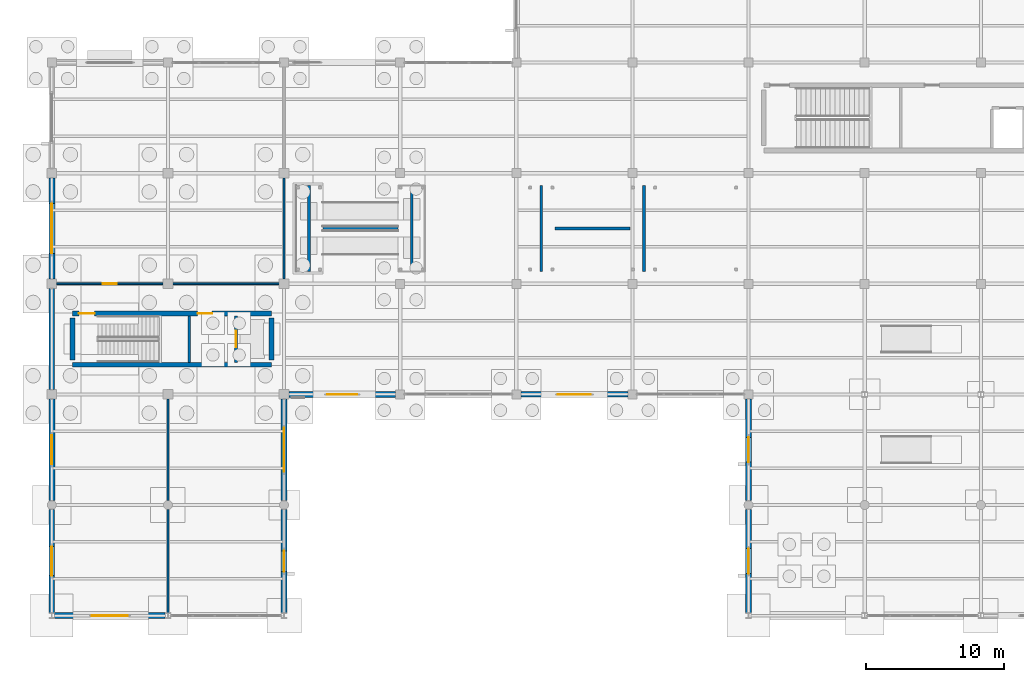
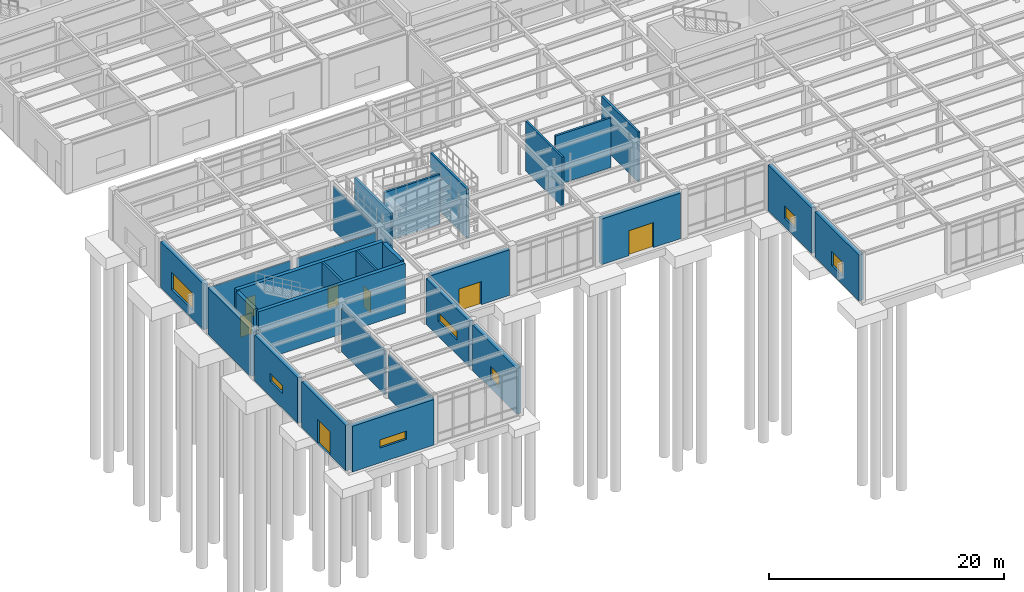
# One storey, part 75 of 138: 28 walls, 7 doors, 7 windows, 14 openings.
"""IFC4 building model written with IfcOpenShell, lengths in metres."""

from ifc_helpers import new_model, si_unit, direction, frame, frame_2d, origin, place, context, subcontext, project, spatial, rectangle, extrude, material, layer, layer_set, type_object, element, fill, save


model = new_model("IFC4")

# Units and contexts
model_context = context("Model", 3, precision=1e-05, world=origin(), true_north=direction((0.0, 1.0)))
body_context = subcontext(model_context, "Body", "Model", "MODEL_VIEW")
ifc_project = project(units=[si_unit("LENGTHUNIT", "METRE"), si_unit("AREAUNIT", "SQUARE_METRE"), si_unit("VOLUMEUNIT", "CUBIC_METRE"), si_unit("PLANEANGLEUNIT", "RADIAN"), si_unit("MASSUNIT", "GRAM", prefix="KILO")], contexts=[model_context])

# Site, building, storey
site_placement = place(None, origin())
site = spatial("IfcSite", under=ifc_project, at=site_placement, CompositionType="ELEMENT")
building_placement = place(site_placement, origin())
building = spatial("IfcBuilding", under=site, at=building_placement, Name="Kranzveld Transit Interchange", CompositionType="ELEMENT")
storey_placement = place(building_placement, origin())
storey = spatial("IfcBuildingStorey", under=building, at=storey_placement, Name="L00", CompositionType="ELEMENT", Elevation=0.0)

# Wall
ifc_material_1 = material(Name="Concrete C40/50", Category="concrete")
ifc_layer_1 = layer(ifc_material_1, 0.35009765625)
ifc_layer_set_1 = layer_set([ifc_layer_1], Name="Concrete C40/50")
wall_type_1 = type_object("IfcWallType", Name="Core Shear Wall RC 350 C40/50", PredefinedType="SHEAR", material=ifc_layer_set_1)
wall_1_placement = place(storey_placement, frame((1.5, 18.139892578125, 0.0), z_axis=(0.0, 0.0, 1.0), x_axis=(1.0, 0.0, 0.0)))
element("IfcWall", 1, at=wall_1_placement, inside=storey, type_object=wall_type_1, Name="L00 Cycle Hub Core C7 Shear Wall S", PredefinedType="SHEAR", context=body_context, shape_type="SweptSolid", body=[
    extrude(rectangle(XDim=14.39990234375, YDim=0.35009765625, at=frame_2d((7.199951171875, 0.0))), origin(), (0.0, 0.0, 1.0), 5.14990234375),
])

# Wall, openings, doors
wall_2_placement = place(storey_placement, frame((1.5, 21.860107421875, 0.0), z_axis=(0.0, 0.0, 1.0), x_axis=(1.0, 0.0, 0.0)))
wall_2 = element("IfcWall", 2, at=wall_2_placement, inside=storey, type_object=wall_type_1, Name="L00 Cycle Hub Core C7 Shear Wall N", PredefinedType="SHEAR", context=body_context, shape_type="SweptSolid", body=[
    extrude(rectangle(XDim=14.39990234375, YDim=0.35009765625, at=frame_2d((7.199951171875, 0.0))), origin(), (0.0, 0.0, 1.0), 5.14990234375),
])
opening_1_placement = place(wall_2_placement, frame((0.449951171875, 0.0, 0.0), z_axis=(0.0, 0.0, 1.0), x_axis=(1.0, 0.0, 0.0)))
opening_1 = element("IfcOpeningElement", 3, at=opening_1_placement, cuts=wall_2, Name="Opening D-ST-C7-L00", PredefinedType="OPENING", context=body_context, shape_type="SweptSolid", body=[
    extrude(rectangle(XDim=1.14990234375, YDim=2.14990234375, at=frame_2d((0.574951171875, 1.074951171875))), frame((0.0, 0.18505859375, 0.0), z_axis=(0.0, -1.0, 0.0), x_axis=(1.0, 0.0, 0.0)), (0.0, 0.0, 1.0), 0.3701171875),
])
opening_2_placement = place(wall_2_placement, frame((9.050048828125, 0.0, 0.0), z_axis=(0.0, 0.0, 1.0), x_axis=(1.0, 0.0, 0.0)))
opening_2 = element("IfcOpeningElement", 4, at=opening_2_placement, cuts=wall_2, Name="Opening D-LB-C7-L00", PredefinedType="OPENING", context=body_context, shape_type="SweptSolid", body=[
    extrude(rectangle(XDim=1.050048828125, YDim=2.14990234375, at=frame_2d((0.52490234375, 1.074951171875))), frame((0.0, 0.18505859375, 0.0), z_axis=(0.0, -1.0, 0.0), x_axis=(1.0, 0.0, 0.0)), (0.0, 0.0, 1.0), 0.3701171875),
])
ifc_material_2 = material(Name="Steel S355JR", Category="steel")
door_type_1 = type_object("IfcDoorType", Name="Lift Lobby Fire Door 1050x2150 FD120S", OperationType="NOTDEFINED", PredefinedType="DOOR", material=ifc_material_2)
door_1_placement = place(opening_2_placement, origin())
door_1 = element("IfcDoor", 5, at=door_1_placement, inside=storey, type_object=door_type_1, Name="L00 Cycle Hub Core C7 Lift Protected Lobby Door", OperationType="SINGLE_SWING_RIGHT", OverallHeight=2.14990234375, OverallWidth=1.050048828125, PredefinedType="DOOR", context=body_context, shape_type="SweptSolid", body=[
    extrude(rectangle(XDim=1.050048828125, YDim=2.14990234375, at=frame_2d((0.52490234375, 1.074951171875))), frame((0.0, 0.02490234375, 0.0), z_axis=(0.0, -1.0, 0.0), x_axis=(1.0, 0.0, 0.0)), (0.0, 0.0, 1.0), 0.050048828125),
])
fill(opening_2, door_1)
ifc_material_3 = material(Name="Steel S355JR", Category="steel")
door_type_2 = type_object("IfcDoorType", Name="Stair Core Fire Door 1150x2150 FD120S", OperationType="NOTDEFINED", PredefinedType="DOOR", material=ifc_material_3)
door_2_placement = place(opening_1_placement, origin())
door_2 = element("IfcDoor", 6, at=door_2_placement, inside=storey, type_object=door_type_2, Name="L00 ST-CY1 Protected Stair Door", OperationType="SINGLE_SWING_RIGHT", OverallHeight=2.14990234375, OverallWidth=1.14990234375, PredefinedType="DOOR", context=body_context, shape_type="SweptSolid", body=[
    extrude(rectangle(XDim=1.14990234375, YDim=2.14990234375, at=frame_2d((0.574951171875, 1.074951171875))), frame((0.0, 0.02490234375, 0.0), z_axis=(0.0, -1.0, 0.0), x_axis=(1.0, 0.0, 0.0)), (0.0, 0.0, 1.0), 0.050048828125),
])
fill(opening_1, door_2)

# Walls
for number, where, z_axis, x_axis, name in (
    (7, (1.5, 18.489990234375, 0.0), (0.0, 0.0, 1.0), (0.0, 1.0, 0.0), "L00 Cycle Hub Core C7 Shear Wall W"),
    (8, (15.89990234375, 18.489990234375, 0.0), (0.0, 0.0, 1.0), (0.0, 1.0, 0.0), "L00 Cycle Hub Core C7 Shear Wall E"),
):
    element("IfcWall", number, at=place(storey_placement, frame(where, z_axis=z_axis, x_axis=x_axis)), inside=storey, type_object=wall_type_1, Name=name, PredefinedType="SHEAR", context=body_context, shape_type="SweptSolid", body=[
        extrude(rectangle(XDim=3.02001953125, YDim=0.35009765625, at=frame_2d((1.510009765625, 0.0))), origin(), (0.0, 0.0, 1.0), 5.14990234375),
    ])
ifc_material_4 = material(Name="Dark Pretoria clinker clay plinth brick, 40 MPa", Category="masonry")
ifc_layer_2 = layer(ifc_material_4, 0.409912109375)
ifc_layer_set_2 = layer_set([ifc_layer_2], Name="Dark Pretoria clinker clay plinth brick, 40 MPa")
wall_type_2 = type_object("IfcWallType", Name="Exterior Arcade Wall Dark Clinker 410", PredefinedType="SOLIDWALL", material=ifc_layer_set_2)
wall_3_placement = place(storey_placement, frame((0.0, 16.35009765625, 0.0), z_axis=(0.0, 0.0, 1.0), x_axis=(0.0, 1.0, 0.0)))
element("IfcWall", 9, at=wall_3_placement, inside=storey, type_object=wall_type_2, Name="L00 Clinker Facade Wall 01/C-01/D", PredefinedType="SOLIDWALL", context=body_context, shape_type="SweptSolid", body=[
    extrude(rectangle(XDim=7.2998046875, YDim=0.409912109375, at=frame_2d((3.64990234375, 0.0))), origin(), (0.0, 0.0, 1.0), 4.85009765625),
])

# Wall, opening, window
wall_4_placement = place(storey_placement, frame((50.39990234375, 8.324951171875, 0.0), z_axis=(0.0, 0.0, 1.0), x_axis=(0.0, 1.0, 0.0)))
wall_4 = element("IfcWall", 10, at=wall_4_placement, inside=storey, type_object=wall_type_2, Name="L00 Clinker Facade Wall 07/B-07/C", PredefinedType="SOLIDWALL", context=body_context, shape_type="SweptSolid", body=[
    extrude(rectangle(XDim=7.35009765625, YDim=0.409912109375, at=frame_2d((3.675048828125, 0.0))), origin(), (0.0, 0.0, 1.0), 4.747314453125),
])
opening_3_placement = place(wall_4_placement, frame((2.77490234375, 0.0, 0.89990234375), z_axis=(0.0, 0.0, 1.0), x_axis=(1.0, 0.0, 0.0)))
opening_3 = element("IfcOpeningElement", 11, at=opening_3_placement, cuts=wall_4, Name="Opening W-12", PredefinedType="OPENING", context=body_context, shape_type="SweptSolid", body=[
    extrude(rectangle(XDim=1.800048828125, YDim=1.300048828125, at=frame_2d((0.89990234375, 0.64990234375))), frame((0.0, 0.21484375, 0.0), z_axis=(0.0, -1.0, 0.0), x_axis=(1.0, 0.0, 0.0)), (0.0, 0.0, 1.0), 0.429931640625),
])
ifc_material_5 = material(Name="Solar-control double glazing", Category="glass")
window_type_1 = type_object("IfcWindowType", Name="Window Studio Double 1800x1300", PartitioningType="DOUBLE_PANEL_VERTICAL", PredefinedType="WINDOW", material=ifc_material_5)
window_1_placement = place(opening_3_placement, origin())
window_1 = element("IfcWindow", 12, at=window_1_placement, inside=storey, type_object=window_type_1, Name="L00 Facade Window 07/B", OverallHeight=1.300048828125, OverallWidth=1.800048828125, PartitioningType="DOUBLE_PANEL_VERTICAL", PredefinedType="WINDOW", context=body_context, shape_type="SweptSolid", body=[
    extrude(rectangle(XDim=1.800048828125, YDim=1.300048828125, at=frame_2d((0.89990234375, 0.64990234375))), frame((0.0, 0.030029296875, 0.0), z_axis=(0.0, -1.0, 0.0), x_axis=(1.0, 0.0, 0.0)), (0.0, 0.0, 1.0), 0.06005859375),
])
fill(opening_3, window_1)

# Wall, opening, door
wall_5_placement = place(storey_placement, frame((33.925048828125, 16.0, 0.0), z_axis=(0.0, 0.0, 1.0), x_axis=(1.0, 0.0, 0.0)))
wall_5 = element("IfcWall", 13, at=wall_5_placement, inside=storey, type_object=wall_type_2, Name="L00 Clinker Facade Wall 05/C-06/C", PredefinedType="SOLIDWALL", context=body_context, shape_type="SweptSolid", body=[
    extrude(rectangle(XDim=7.75, YDim=0.409912109375, at=frame_2d((3.875, 0.0))), origin(), (0.0, 0.0, 1.0), 4.740478515625),
])
opening_4_placement = place(wall_5_placement, frame((5.074951171875, 0.0, 0.0), z_axis=(0.0, 0.0, 1.0), x_axis=(-1.0, 0.0, 0.0)))
opening_4 = element("IfcOpeningElement", 14, at=opening_4_placement, cuts=wall_5, Name="Opening ED-00-13", PredefinedType="OPENING", context=body_context, shape_type="SweptSolid", body=[
    extrude(rectangle(XDim=2.39990234375, YDim=2.60009765625, at=frame_2d((1.199951171875, 1.300048828125))), frame((0.0, 0.21484375, 0.0), z_axis=(0.0, -1.0, 0.0), x_axis=(1.0, 0.0, 0.0)), (0.0, 0.0, 1.0), 0.429931640625),
])
ifc_material_6 = material(Name="Bronze-anodised thermally broken aluminium", Category="aluminium")
door_type_3 = type_object("IfcDoorType", Name="Main Concourse Entrance Double Door 2400x2600", OperationType="NOTDEFINED", PredefinedType="DOOR", material=ifc_material_6)
door_3_placement = place(opening_4_placement, origin())
door_3 = element("IfcDoor", 15, at=door_3_placement, inside=storey, type_object=door_type_3, Name="L00 Entrance/Exit Door 05/C", OperationType="DOUBLE_DOOR_SINGLE_SWING", OverallHeight=2.60009765625, OverallWidth=2.39990234375, PredefinedType="DOOR", context=body_context, shape_type="SweptSolid", body=[
    extrude(rectangle(XDim=2.39990234375, YDim=2.60009765625, at=frame_2d((1.199951171875, 1.300048828125))), frame((0.0, 0.02490234375, 0.0), z_axis=(0.0, -1.0, 0.0), x_axis=(1.0, 0.0, 0.0)), (0.0, 0.0, 1.0), 0.050048828125),
])
fill(opening_4, door_3)

# Wall, opening, window
wall_6_placement = place(storey_placement, frame((16.800048828125, 8.324951171875, 0.0), z_axis=(0.0, 0.0, 1.0), x_axis=(0.0, 1.0, 0.0)))
wall_6 = element("IfcWall", 16, at=wall_6_placement, inside=storey, type_object=wall_type_2, Name="L00 Clinker Facade Wall 03/B-03/C", PredefinedType="SOLIDWALL", context=body_context, shape_type="SweptSolid", body=[
    extrude(rectangle(XDim=7.324951171875, YDim=0.409912109375, at=frame_2d((3.66259765625, 0.0))), origin(), (0.0, 0.0, 1.0), 4.747314453125),
])
opening_5_placement = place(wall_6_placement, frame((2.0625, 0.0, 1.550048828125), z_axis=(0.0, 0.0, 1.0), x_axis=(1.0, 0.0, 0.0)))
opening_5 = element("IfcOpeningElement", 17, at=opening_5_placement, cuts=wall_6, Name="Opening W-14", PredefinedType="OPENING", context=body_context, shape_type="SweptSolid", body=[
    extrude(rectangle(XDim=3.199951171875, YDim=0.89990234375, at=frame_2d((1.60009765625, 0.449951171875))), frame((0.0, 0.21484375, 0.0), z_axis=(0.0, -1.0, 0.0), x_axis=(1.0, 0.0, 0.0)), (0.0, 0.0, 1.0), 0.429931640625),
])
ifc_material_7 = material(Name="Solar-control double glazing", Category="glass")
window_type_2 = type_object("IfcWindowType", Name="Window Clerestory 3200x900", PartitioningType="TRIPLE_PANEL_HORIZONTAL", PredefinedType="WINDOW", material=ifc_material_7)
window_2_placement = place(opening_5_placement, origin())
window_2 = element("IfcWindow", 18, at=window_2_placement, inside=storey, type_object=window_type_2, Name="L00 Facade Window 03/B", OverallHeight=0.89990234375, OverallWidth=3.199951171875, PartitioningType="TRIPLE_PANEL_HORIZONTAL", PredefinedType="WINDOW", context=body_context, shape_type="SweptSolid", body=[
    extrude(rectangle(XDim=3.199951171875, YDim=0.89990234375, at=frame_2d((1.60009765625, 0.449951171875))), frame((0.0, 0.030029296875, 0.0), z_axis=(0.0, -1.0, 0.0), x_axis=(1.0, 0.0, 0.0)), (0.0, 0.0, 1.0), 0.06005859375),
])
fill(opening_5, window_2)

# Wall, opening, door
wall_7_placement = place(storey_placement, frame((0.0, 0.19677734375, 0.0), z_axis=(0.0, 0.0, 1.0), x_axis=(0.0, 1.0, 0.0)))
wall_7 = element("IfcWall", 19, at=wall_7_placement, inside=storey, type_object=wall_type_2, Name="L00 Clinker Facade Wall 01/A-01/B", PredefinedType="SOLIDWALL", context=body_context, shape_type="SweptSolid", body=[
    extrude(rectangle(XDim=7.478271484375, YDim=0.409912109375, at=frame_2d((3.7392578125, 0.0))), origin(), (0.0, 0.0, 1.0), 4.747314453125),
])
opening_6_placement = place(wall_7_placement, frame((2.689208984375, 0.0, 0.0), z_axis=(0.0, 0.0, 1.0), x_axis=(1.0, 0.0, 0.0)))
opening_6 = element("IfcOpeningElement", 20, at=opening_6_placement, cuts=wall_7, Name="Opening ED-00-14", PredefinedType="OPENING", context=body_context, shape_type="SweptSolid", body=[
    extrude(rectangle(XDim=2.10009765625, YDim=2.449951171875, at=frame_2d((1.050048828125, 1.22509765625))), frame((0.0, 0.21484375, 0.0), z_axis=(0.0, -1.0, 0.0), x_axis=(1.0, 0.0, 0.0)), (0.0, 0.0, 1.0), 0.429931640625),
])
ifc_material_8 = material(Name="Bronze-anodised thermally broken aluminium", Category="aluminium")
door_type_4 = type_object("IfcDoorType", Name="Forecourt Double Entrance Door 2100x2450", OperationType="NOTDEFINED", PredefinedType="DOOR", material=ifc_material_8)
door_4_placement = place(opening_6_placement, origin())
door_4 = element("IfcDoor", 21, at=door_4_placement, inside=storey, type_object=door_type_4, Name="L00 Entrance/Exit Door 01/A", OperationType="DOUBLE_DOOR_SINGLE_SWING", OverallHeight=2.449951171875, OverallWidth=2.10009765625, PredefinedType="DOOR", context=body_context, shape_type="SweptSolid", body=[
    extrude(rectangle(XDim=2.10009765625, YDim=2.449951171875, at=frame_2d((1.050048828125, 1.22509765625))), frame((0.0, 0.02490234375, 0.0), z_axis=(0.0, -1.0, 0.0), x_axis=(1.0, 0.0, 0.0)), (0.0, 0.0, 1.0), 0.050048828125),
])
fill(opening_6, door_4)

# Wall, opening, window
ifc_material_9 = material(Name="Dark Pretoria clinker clay plinth brick, 40 MPa", Category="masonry")
ifc_layer_3 = layer(ifc_material_9, 0.43994140625)
ifc_layer_set_3 = layer_set([ifc_layer_3], Name="Dark Pretoria clinker clay plinth brick, 40 MPa")
wall_type_3 = type_object("IfcWallType", Name="Exterior Plinth Wall Dark Clinker 440", PredefinedType="SOLIDWALL", material=ifc_layer_set_3)
wall_8_placement = place(storey_placement, frame((0.0, 24.35009765625, 0.0), z_axis=(0.0, 0.0, 1.0), x_axis=(0.0, 1.0, 0.0)))
wall_8 = element("IfcWall", 22, at=wall_8_placement, inside=storey, type_object=wall_type_3, Name="L00 Clinker Facade Wall 01/D-01/E", PredefinedType="SOLIDWALL", context=body_context, shape_type="SweptSolid", body=[
    extrude(rectangle(XDim=7.2998046875, YDim=0.43994140625, at=frame_2d((3.64990234375, 0.0))), origin(), (0.0, 0.0, 1.0), 4.747314453125),
])
opening_7_placement = place(wall_8_placement, frame((1.85009765625, 0.0, 0.89990234375), z_axis=(0.0, 0.0, 1.0), x_axis=(1.0, 0.0, 0.0)))
opening_7 = element("IfcOpeningElement", 23, at=opening_7_placement, cuts=wall_8, Name="Opening W-01", PredefinedType="OPENING", context=body_context, shape_type="SweptSolid", body=[
    extrude(rectangle(XDim=3.60009765625, YDim=1.800048828125, at=frame_2d((1.800048828125, 0.89990234375))), frame((0.0, 0.22998046875, 0.0), z_axis=(0.0, -1.0, 0.0), x_axis=(1.0, 0.0, 0.0)), (0.0, 0.0, 1.0), 0.4599609375),
])
ifc_material_10 = material(Name="Solar-control double glazing", Category="glass")
window_type_3 = type_object("IfcWindowType", Name="Window Ribbon Triple 3600x1800", PartitioningType="TRIPLE_PANEL_VERTICAL", PredefinedType="WINDOW", material=ifc_material_10)
window_3_placement = place(opening_7_placement, origin())
window_3 = element("IfcWindow", 24, at=window_3_placement, inside=storey, type_object=window_type_3, Name="L00 Facade Window 01/D", OverallHeight=1.800048828125, OverallWidth=3.60009765625, PartitioningType="TRIPLE_PANEL_VERTICAL", PredefinedType="WINDOW", context=body_context, shape_type="SweptSolid", body=[
    extrude(rectangle(XDim=3.60009765625, YDim=1.800048828125, at=frame_2d((1.800048828125, 0.89990234375))), frame((0.0, 0.030029296875, 0.0), z_axis=(0.0, -1.0, 0.0), x_axis=(1.0, 0.0, 0.0)), (0.0, 0.0, 1.0), 0.06005859375),
])
fill(opening_7, window_3)

wall_9_placement = place(storey_placement, frame((50.39990234375, 0.19677734375, 0.0), z_axis=(0.0, 0.0, 1.0), x_axis=(0.0, 1.0, 0.0)))
wall_9 = element("IfcWall", 25, at=wall_9_placement, inside=storey, type_object=wall_type_3, Name="L00 Clinker Facade Wall 07/A-07/B", PredefinedType="SOLIDWALL", context=body_context, shape_type="SweptSolid", body=[
    extrude(rectangle(XDim=7.478271484375, YDim=0.43994140625, at=frame_2d((3.7392578125, 0.0))), origin(), (0.0, 0.0, 1.0), 4.747314453125),
])
opening_8_placement = place(wall_9_placement, frame((2.839111328125, 0.0, 0.89990234375), z_axis=(0.0, 0.0, 1.0), x_axis=(1.0, 0.0, 0.0)))
opening_8 = element("IfcOpeningElement", 26, at=opening_8_placement, cuts=wall_9, Name="Opening W-11", PredefinedType="OPENING", context=body_context, shape_type="SweptSolid", body=[
    extrude(rectangle(XDim=1.800048828125, YDim=1.449951171875, at=frame_2d((0.89990234375, 0.72509765625))), frame((0.0, 0.22998046875, 0.0), z_axis=(0.0, -1.0, 0.0), x_axis=(1.0, 0.0, 0.0)), (0.0, 0.0, 1.0), 0.4599609375),
])
ifc_material_11 = material(Name="Solar-control double glazing", Category="glass")
window_type_4 = type_object("IfcWindowType", Name="Window Office Double 1800x1450", PartitioningType="DOUBLE_PANEL_VERTICAL", PredefinedType="WINDOW", material=ifc_material_11)
window_4_placement = place(opening_8_placement, origin())
window_4 = element("IfcWindow", 27, at=window_4_placement, inside=storey, type_object=window_type_4, Name="L00 Facade Window 07/A", OverallHeight=1.449951171875, OverallWidth=1.800048828125, PartitioningType="DOUBLE_PANEL_VERTICAL", PredefinedType="WINDOW", context=body_context, shape_type="SweptSolid", body=[
    extrude(rectangle(XDim=1.800048828125, YDim=1.449951171875, at=frame_2d((0.89990234375, 0.72509765625))), frame((0.0, 0.030029296875, 0.0), z_axis=(0.0, -1.0, 0.0), x_axis=(1.0, 0.0, 0.0)), (0.0, 0.0, 1.0), 0.06005859375),
])
fill(opening_8, window_4)

# Wall, opening, door
wall_10_placement = place(storey_placement, frame((17.14990234375, 16.0, 0.0), z_axis=(0.0, 0.0, 1.0), x_axis=(1.0, 0.0, 0.0)))
wall_10 = element("IfcWall", 28, at=wall_10_placement, inside=storey, type_object=wall_type_3, Name="L00 Clinker Facade Wall 03/C-04/C", PredefinedType="SOLIDWALL", context=body_context, shape_type="SweptSolid", body=[
    extrude(rectangle(XDim=7.72509765625, YDim=0.43994140625, at=frame_2d((3.862548828125, 0.0))), origin(), (0.0, 0.0, 1.0), 4.740478515625),
])
opening_9_placement = place(wall_10_placement, frame((4.96240234375, 0.0, 0.0), z_axis=(0.0, 0.0, 1.0), x_axis=(-1.0, 0.0, 0.0)))
opening_9 = element("IfcOpeningElement", 29, at=opening_9_placement, cuts=wall_10, Name="Opening ED-00-12", PredefinedType="OPENING", context=body_context, shape_type="SweptSolid", body=[
    extrude(rectangle(XDim=2.199951171875, YDim=2.39990234375, at=frame_2d((1.10009765625, 1.199951171875))), frame((0.0, 0.22998046875, 0.0), z_axis=(0.0, -1.0, 0.0), x_axis=(1.0, 0.0, 0.0)), (0.0, 0.0, 1.0), 0.4599609375),
])
ifc_material_12 = material(Name="Bronze-anodised thermally broken aluminium", Category="aluminium")
door_type_5 = type_object("IfcDoorType", Name="Cycle Hub Pass-Through Double Door 2200x2400", OperationType="NOTDEFINED", PredefinedType="DOOR", material=ifc_material_12)
door_5_placement = place(opening_9_placement, origin())
door_5 = element("IfcDoor", 30, at=door_5_placement, inside=storey, type_object=door_type_5, Name="L00 Entrance/Exit Door 03/C", OperationType="DOUBLE_DOOR_SINGLE_SWING", OverallHeight=2.39990234375, OverallWidth=2.199951171875, PredefinedType="DOOR", context=body_context, shape_type="SweptSolid", body=[
    extrude(rectangle(XDim=2.199951171875, YDim=2.39990234375, at=frame_2d((1.10009765625, 1.199951171875))), frame((0.0, 0.02490234375, 0.0), z_axis=(0.0, -1.0, 0.0), x_axis=(1.0, 0.0, 0.0)), (0.0, 0.0, 1.0), 0.050048828125),
])
fill(opening_9, door_5)

# Wall, opening, window
wall_11_placement = place(storey_placement, frame((16.800048828125, 0.19677734375, 0.0), z_axis=(0.0, 0.0, 1.0), x_axis=(0.0, 1.0, 0.0)))
wall_11 = element("IfcWall", 31, at=wall_11_placement, inside=storey, type_object=wall_type_3, Name="L00 Clinker Facade Wall 03/A-03/B", PredefinedType="SOLIDWALL", context=body_context, shape_type="SweptSolid", body=[
    extrude(rectangle(XDim=7.478271484375, YDim=0.43994140625, at=frame_2d((3.7392578125, 0.0))), origin(), (0.0, 0.0, 1.0), 4.747314453125),
])
opening_10_placement = place(wall_11_placement, frame((2.989013671875, 0.0, 0.89990234375), z_axis=(0.0, 0.0, 1.0), x_axis=(1.0, 0.0, 0.0)))
opening_10 = element("IfcOpeningElement", 32, at=opening_10_placement, cuts=wall_11, Name="Opening W-13", PredefinedType="OPENING", context=body_context, shape_type="SweptSolid", body=[
    extrude(rectangle(XDim=1.5, YDim=1.39990234375, at=frame_2d((0.75, 0.699951171875))), frame((0.0, 0.22998046875, 0.0), z_axis=(0.0, -1.0, 0.0), x_axis=(1.0, 0.0, 0.0)), (0.0, 0.0, 1.0), 0.4599609375),
])
ifc_material_13 = material(Name="Solar-control double glazing", Category="glass")
window_type_5 = type_object("IfcWindowType", Name="Window Studio Single 1500x1400", PartitioningType="SINGLE_PANEL", PredefinedType="WINDOW", material=ifc_material_13)
window_5_placement = place(opening_10_placement, origin())
window_5 = element("IfcWindow", 33, at=window_5_placement, inside=storey, type_object=window_type_5, Name="L00 Facade Window 03/A", OverallHeight=1.39990234375, OverallWidth=1.5, PartitioningType="SINGLE_PANEL", PredefinedType="WINDOW", context=body_context, shape_type="SweptSolid", body=[
    extrude(rectangle(XDim=1.5, YDim=1.39990234375, at=frame_2d((0.75, 0.699951171875))), frame((0.0, 0.030029296875, 0.0), z_axis=(0.0, -1.0, 0.0), x_axis=(1.0, 0.0, 0.0)), (0.0, 0.0, 1.0), 0.06005859375),
])
fill(opening_10, window_5)

wall_12_placement = place(storey_placement, frame((0.199462890625, 0.0, 0.0), z_axis=(0.0, 0.0, 1.0), x_axis=(1.0, 0.0, 0.0)))
wall_12 = element("IfcWall", 34, at=wall_12_placement, inside=storey, type_object=wall_type_3, Name="L00 Clinker Facade Wall 01/A-02/A", PredefinedType="SOLIDWALL", context=body_context, shape_type="SweptSolid", body=[
    extrude(rectangle(XDim=8.0009765625, YDim=0.43994140625, at=frame_2d((4.00048828125, 0.0))), origin(), (0.0, 0.0, 1.0), 4.740478515625),
])
opening_11_placement = place(wall_12_placement, frame((2.700439453125, 0.0, 1.550048828125), z_axis=(0.0, 0.0, 1.0), x_axis=(1.0, 0.0, 0.0)))
opening_11 = element("IfcOpeningElement", 35, at=opening_11_placement, cuts=wall_12, Name="Opening W-15", PredefinedType="OPENING", context=body_context, shape_type="SweptSolid", body=[
    extrude(rectangle(XDim=2.60009765625, YDim=0.85009765625, at=frame_2d((1.300048828125, 0.425048828125))), frame((0.0, 0.22998046875, 0.0), z_axis=(0.0, -1.0, 0.0), x_axis=(1.0, 0.0, 0.0)), (0.0, 0.0, 1.0), 0.4599609375),
])
ifc_material_14 = material(Name="Solar-control double glazing", Category="glass")
window_type_6 = type_object("IfcWindowType", Name="Window Clerestory 2600x850", PartitioningType="DOUBLE_PANEL_HORIZONTAL", PredefinedType="WINDOW", material=ifc_material_14)
window_6_placement = place(opening_11_placement, origin())
window_6 = element("IfcWindow", 36, at=window_6_placement, inside=storey, type_object=window_type_6, Name="L00 Facade Window 01/A", OverallHeight=0.85009765625, OverallWidth=2.60009765625, PartitioningType="DOUBLE_PANEL_HORIZONTAL", PredefinedType="WINDOW", context=body_context, shape_type="SweptSolid", body=[
    extrude(rectangle(XDim=2.60009765625, YDim=0.85009765625, at=frame_2d((1.300048828125, 0.425048828125))), frame((0.0, 0.030029296875, 0.0), z_axis=(0.0, -1.0, 0.0), x_axis=(1.0, 0.0, 0.0)), (0.0, 0.0, 1.0), 0.06005859375),
])
fill(opening_11, window_6)

wall_13_placement = place(storey_placement, frame((0.0, 8.324951171875, 0.0), z_axis=(0.0, 0.0, 1.0), x_axis=(0.0, 1.0, 0.0)))
wall_13 = element("IfcWall", 37, at=wall_13_placement, inside=storey, type_object=wall_type_3, Name="L00 Clinker Facade Wall 01/B-01/C", PredefinedType="SOLIDWALL", context=body_context, shape_type="SweptSolid", body=[
    extrude(rectangle(XDim=7.324951171875, YDim=0.43994140625, at=frame_2d((3.66259765625, 0.0))), origin(), (0.0, 0.0, 1.0), 4.747314453125),
])
opening_12_placement = place(wall_13_placement, frame((2.612548828125, 0.0, 1.550048828125), z_axis=(0.0, 0.0, 1.0), x_axis=(1.0, 0.0, 0.0)))
opening_12 = element("IfcOpeningElement", 38, at=opening_12_placement, cuts=wall_13, Name="Opening W-16", PredefinedType="OPENING", context=body_context, shape_type="SweptSolid", body=[
    extrude(rectangle(XDim=2.10009765625, YDim=0.800048828125, at=frame_2d((1.050048828125, 0.39990234375))), frame((0.0, 0.22998046875, 0.0), z_axis=(0.0, -1.0, 0.0), x_axis=(1.0, 0.0, 0.0)), (0.0, 0.0, 1.0), 0.4599609375),
])
ifc_material_15 = material(Name="Solar-control double glazing", Category="glass")
window_type_7 = type_object("IfcWindowType", Name="Window Clerestory 2100x800", PartitioningType="DOUBLE_PANEL_HORIZONTAL", PredefinedType="WINDOW", material=ifc_material_15)
window_7_placement = place(opening_12_placement, origin())
window_7 = element("IfcWindow", 39, at=window_7_placement, inside=storey, type_object=window_type_7, Name="L00 Facade Window 01/B", OverallHeight=0.800048828125, OverallWidth=2.10009765625, PartitioningType="DOUBLE_PANEL_HORIZONTAL", PredefinedType="WINDOW", context=body_context, shape_type="SweptSolid", body=[
    extrude(rectangle(XDim=2.10009765625, YDim=0.800048828125, at=frame_2d((1.050048828125, 0.39990234375))), frame((0.0, 0.030029296875, 0.0), z_axis=(0.0, -1.0, 0.0), x_axis=(1.0, 0.0, 0.0)), (0.0, 0.0, 1.0), 0.06005859375),
])
fill(opening_12, window_7)

# Walls
ifc_material_16 = material(Name="Clay masonry unit wall, 20 MPa", Category="masonry")
ifc_layer_4 = layer(ifc_material_16, 0.14990234375)
ifc_layer_set_4 = layer_set([ifc_layer_4], Name="Clay masonry unit wall, 20 MPa")
wall_type_4 = type_object("IfcWallType", Name="Fire Rated Partition Wall 150 EI60", PredefinedType="PARTITIONING", material=ifc_layer_set_4)
wall_14_placement = place(storey_placement, frame((8.39990234375, 0.186767578125, 0.0), z_axis=(0.0, 0.0, 1.0), x_axis=(0.0, 1.0, 0.0)))
element("IfcWall", 40, at=wall_14_placement, inside=storey, type_object=wall_type_4, Name="L00 Partition IW-L00-L00V3S-DIV-0", PredefinedType="PARTITIONING", context=body_context, shape_type="SweptSolid", body=[
    extrude(rectangle(XDim=7.498291015625, YDim=0.14990234375, at=frame_2d((3.7490234375, 0.0))), origin(), (0.0, 0.0, 1.0), 4.54248046875),
])
wall_15_placement = place(storey_placement, frame((8.39990234375, 8.31494140625, 0.0), z_axis=(0.0, 0.0, 1.0), x_axis=(0.0, 1.0, 0.0)))
element("IfcWall", 41, at=wall_15_placement, inside=storey, type_object=wall_type_4, Name="L00 Partition IW-L00-L00V3S-DIV-1", PredefinedType="PARTITIONING", context=body_context, shape_type="SweptSolid", body=[
    extrude(rectangle(XDim=7.344970703125, YDim=0.14990234375, at=frame_2d((3.67236328125, 0.0))), origin(), (0.0, 0.0, 1.0), 4.54248046875),
])

# Wall, opening, door
ifc_material_17 = material(Name="Clay masonry unit wall, 20 MPa", Category="masonry")
ifc_layer_5 = layer(ifc_material_17, 0.125)
ifc_layer_set_5 = layer_set([ifc_layer_5], Name="Clay masonry unit wall, 20 MPa")
wall_type_5 = type_object("IfcWallType", Name="Internal Blockwork Partition 125", PredefinedType="PARTITIONING", material=ifc_layer_set_5)
wall_16_placement = place(storey_placement, frame((0.340087890625, 24.0, 0.0), z_axis=(0.0, 0.0, 1.0), x_axis=(1.0, 0.0, 0.0)))
wall_16 = element("IfcWall", 42, at=wall_16_placement, inside=storey, type_object=wall_type_5, Name="L00 Partition IW-L00-L00V3N-FRT-017-0", PredefinedType="PARTITIONING", context=body_context, shape_type="SweptSolid", body=[
    extrude(rectangle(XDim=7.719970703125, YDim=0.125, at=frame_2d((3.85986328125, 0.0))), origin(), (0.0, 0.0, 1.0), 4.53271484375),
])
opening_13_placement = place(wall_16_placement, frame((3.360107421875, 0.0, 0.0), z_axis=(0.0, 0.0, 1.0), x_axis=(1.0, 0.0, 0.0)))
opening_13 = element("IfcOpeningElement", 43, at=opening_13_placement, cuts=wall_16, Name="Opening D-017", PredefinedType="OPENING", context=body_context, shape_type="SweptSolid", body=[
    extrude(rectangle(XDim=0.97998046875, YDim=2.14990234375, at=frame_2d((0.489990234375, 1.074951171875))), frame((0.0, 0.072509765625, 0.0), z_axis=(0.0, -1.0, 0.0), x_axis=(1.0, 0.0, 0.0)), (0.0, 0.0, 1.0), 0.14501953125),
])
ifc_material_18 = material(Name="Bronze-anodised thermally broken aluminium", Category="aluminium")
door_type_6 = type_object("IfcDoorType", Name="Retail Back-of-House Door 980x2150", OperationType="NOTDEFINED", PredefinedType="DOOR", material=ifc_material_18)
door_6_placement = place(opening_13_placement, origin())
door_6 = element("IfcDoor", 44, at=door_6_placement, inside=storey, type_object=door_type_6, Name="L00 Interior Door D-017", OperationType="SINGLE_SWING_LEFT", OverallHeight=2.14990234375, OverallWidth=0.97998046875, PredefinedType="DOOR", context=body_context, shape_type="SweptSolid", body=[
    extrude(rectangle(XDim=0.97998046875, YDim=2.14990234375, at=frame_2d((0.489990234375, 1.074951171875))), frame((0.0, 0.02490234375, 0.0), z_axis=(0.0, -1.0, 0.0), x_axis=(1.0, 0.0, 0.0)), (0.0, 0.0, 1.0), 0.050048828125),
])
fill(opening_13, door_6)

# Walls
wall_17_placement = place(storey_placement, frame((8.739990234375, 24.0, 0.0), z_axis=(0.0, 0.0, 1.0), x_axis=(1.0, 0.0, 0.0)))
element("IfcWall", 45, at=wall_17_placement, inside=storey, type_object=wall_type_5, Name="L00 Partition IW-L00-L00V3N-FRT-017-1", PredefinedType="PARTITIONING", context=body_context, shape_type="SweptSolid", body=[
    extrude(rectangle(XDim=7.719970703125, YDim=0.125, at=frame_2d((3.85986328125, 0.0))), origin(), (0.0, 0.0, 1.0), 4.53271484375),
])
wall_18_placement = place(storey_placement, frame((16.800048828125, 24.340087890625, 0.0), z_axis=(0.0, 0.0, 1.0), x_axis=(0.0, 1.0, 0.0)))
element("IfcWall", 46, at=wall_18_placement, inside=storey, type_object=wall_type_5, Name="L00 Partition IW-L00-L00V3N-E-017-0", PredefinedType="PARTITIONING", context=body_context, shape_type="SweptSolid", body=[
    extrude(rectangle(XDim=7.31982421875, YDim=0.125, at=frame_2d((3.659912109375, 0.0))), origin(), (0.0, 0.0, 1.0), 4.54248046875),
])
ifc_material_19 = material(Name="Concrete C40/50", Category="concrete")
ifc_layer_6 = layer(ifc_material_19, 0.199951171875)
ifc_layer_set_6 = layer_set([ifc_layer_6], Name="Concrete C40/50")
wall_type_6 = type_object("IfcWallType", Name="Lift Shaft Enclosure Wall RC 200 EI120", PredefinedType="SHEAR", material=ifc_layer_set_6)
wall_19_placement = place(storey_placement, frame((9.949951171875, 18.31494140625, 0.0), z_axis=(0.0, 0.0, 1.0), x_axis=(0.0, 1.0, 0.0)))
element("IfcWall", 47, at=wall_19_placement, inside=storey, type_object=wall_type_6, Name="L00 Cycle Hub Core C7 Stair-Lobby Dividing Wall", PredefinedType="SHEAR", context=body_context, shape_type="SweptSolid", body=[
    extrude(rectangle(XDim=3.3701171875, YDim=0.199951171875, at=frame_2d((1.68505859375, 0.0))), origin(), (0.0, 0.0, 1.0), 5.14990234375),
])

# Wall, opening, door
wall_20_placement = place(storey_placement, frame((13.324951171875, 18.31494140625, 0.0), z_axis=(0.0, 0.0, 1.0), x_axis=(0.0, 1.0, 0.0)))
wall_20 = element("IfcWall", 48, at=wall_20_placement, inside=storey, type_object=wall_type_6, Name="L00 LF-CY1 Shaft Front Wall", PredefinedType="SHEAR", context=body_context, shape_type="SweptSolid", body=[
    extrude(rectangle(XDim=3.3701171875, YDim=0.199951171875, at=frame_2d((1.68505859375, 0.0))), origin(), (0.0, 0.0, 1.0), 5.14990234375),
])
opening_14_placement = place(wall_20_placement, frame((1.0849609375, 0.0, 0.0), z_axis=(0.0, 0.0, 1.0), x_axis=(1.0, 0.0, 0.0)))
opening_14 = element("IfcOpeningElement", 49, at=opening_14_placement, cuts=wall_20, Name="Opening LD-LF-CY1-L00", PredefinedType="OPENING", context=body_context, shape_type="SweptSolid", body=[
    extrude(rectangle(XDim=1.199951171875, YDim=2.199951171875, at=frame_2d((0.60009765625, 1.10009765625))), frame((0.0, 0.10986328125, 0.0), z_axis=(0.0, -1.0, 0.0), x_axis=(1.0, 0.0, 0.0)), (0.0, 0.0, 1.0), 0.219970703125),
])
ifc_material_20 = material(Name="Steel S355JR", Category="steel")
door_type_7 = type_object("IfcDoorType", Name="Cycle Lift Sliding Door 1200x2200 FD120S", OperationType="NOTDEFINED", PredefinedType="DOOR", material=ifc_material_20)
door_7_placement = place(opening_14_placement, origin())
door_7 = element("IfcDoor", 50, at=door_7_placement, inside=storey, type_object=door_type_7, Name="L00 LF-CY1 Sliding Landing Door", OperationType="DOUBLE_DOOR_SLIDING", OverallHeight=2.199951171875, OverallWidth=1.199951171875, PredefinedType="DOOR", context=body_context, shape_type="SweptSolid", body=[
    extrude(rectangle(XDim=1.199951171875, YDim=2.199951171875, at=frame_2d((0.60009765625, 1.10009765625))), frame((0.0, 0.02490234375, 0.0), z_axis=(0.0, -1.0, 0.0), x_axis=(1.0, 0.0, 0.0)), (0.0, 0.0, 1.0), 0.050048828125),
])
fill(opening_14, door_7)

# Walls
wall_21_placement = place(storey_placement, frame((19.60009765625, 28.0, 0.0), z_axis=(0.0, 0.0, 1.0), x_axis=(1.0, 0.0, 0.0)))
element("IfcWall", 51, at=wall_21_placement, inside=storey, type_object=wall_type_6, Name="L00 RMP-1 Central Ramp Spine Wall", PredefinedType="SHEAR", context=body_context, shape_type="SweptSolid", body=[
    extrude(rectangle(XDim=5.43994140625, YDim=0.199951171875, at=frame_2d((2.719970703125, 0.0))), origin(), (0.0, 0.0, 1.0), 5.159912109375),
])
for number, where, z_axis, x_axis, name in (
    (52, (18.60009765625, 24.89990234375, 0.0), (0.0, 0.0, 1.0), (0.0, 1.0, 0.0), "L00 RMP-1 Ramp Bearing Wall W"),
    (53, (26.0400390625, 24.89990234375, 0.0), (0.0, 0.0, 1.0), (0.0, 1.0, 0.0), "L00 RMP-1 Ramp Bearing Wall E"),
):
    element("IfcWall", number, at=place(storey_placement, frame(where, z_axis=z_axis, x_axis=x_axis)), inside=storey, type_object=wall_type_6, Name=name, PredefinedType="SHEAR", context=body_context, shape_type="SweptSolid", body=[
        extrude(rectangle(XDim=6.2001953125, YDim=0.199951171875, at=frame_2d((3.10009765625, 0.0))), origin(), (0.0, 0.0, 1.0), 5.159912109375),
    ])
wall_22_placement = place(storey_placement, frame((36.39990234375, 28.0, 0.0), z_axis=(0.0, 0.0, 1.0), x_axis=(1.0, 0.0, 0.0)))
element("IfcWall", 54, at=wall_22_placement, inside=storey, type_object=wall_type_6, Name="L00 RMP-2 Central Ramp Spine Wall", PredefinedType="SHEAR", context=body_context, shape_type="SweptSolid", body=[
    extrude(rectangle(XDim=5.440185546875, YDim=0.199951171875, at=frame_2d((2.72021484375, 0.0))), origin(), (0.0, 0.0, 1.0), 5.14990234375),
])
for number, where, z_axis, x_axis, name in (
    (55, (35.39990234375, 24.89990234375, 0.0), (0.0, 0.0, 1.0), (0.0, 1.0, 0.0), "L00 RMP-2 Ramp Bearing Wall W"),
    (56, (42.840087890625, 24.89990234375, 0.0), (0.0, 0.0, 1.0), (0.0, 1.0, 0.0), "L00 RMP-2 Ramp Bearing Wall E"),
):
    element("IfcWall", number, at=place(storey_placement, frame(where, z_axis=z_axis, x_axis=x_axis)), inside=storey, type_object=wall_type_6, Name=name, PredefinedType="SHEAR", context=body_context, shape_type="SweptSolid", body=[
        extrude(rectangle(XDim=6.2001953125, YDim=0.199951171875, at=frame_2d((3.10009765625, 0.0))), origin(), (0.0, 0.0, 1.0), 5.14990234375),
    ])

save(model, "model.ifc")
